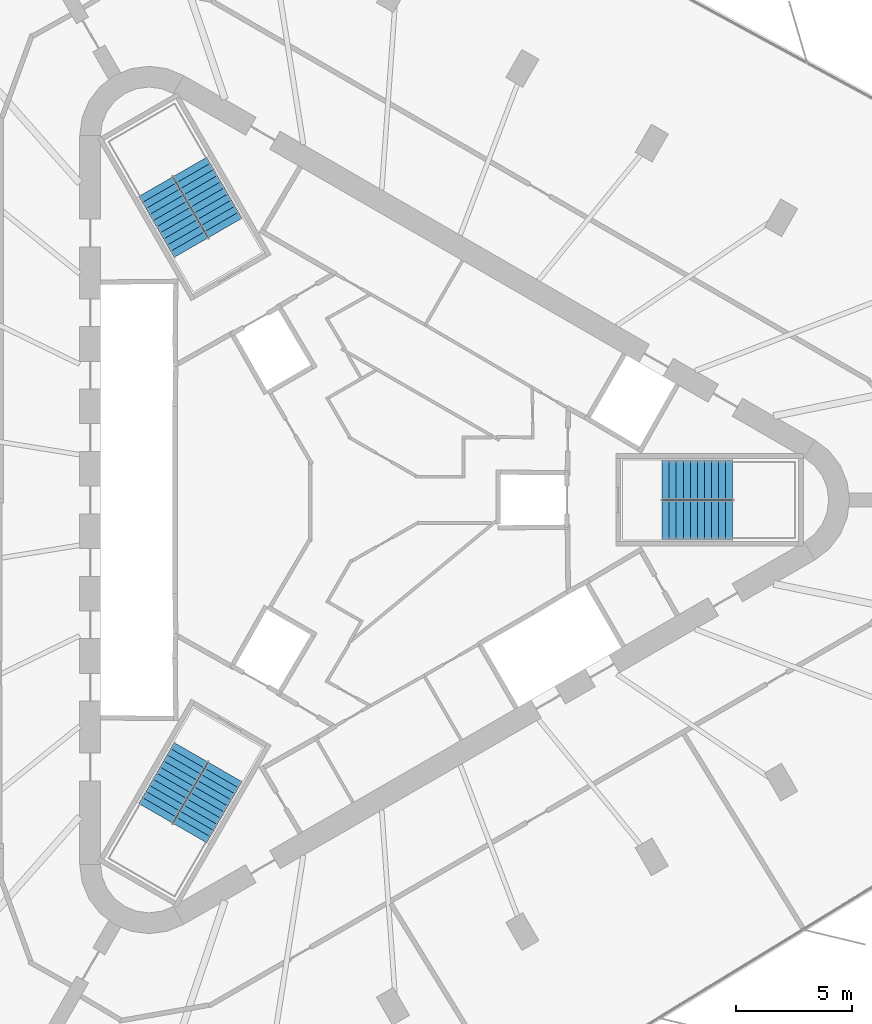
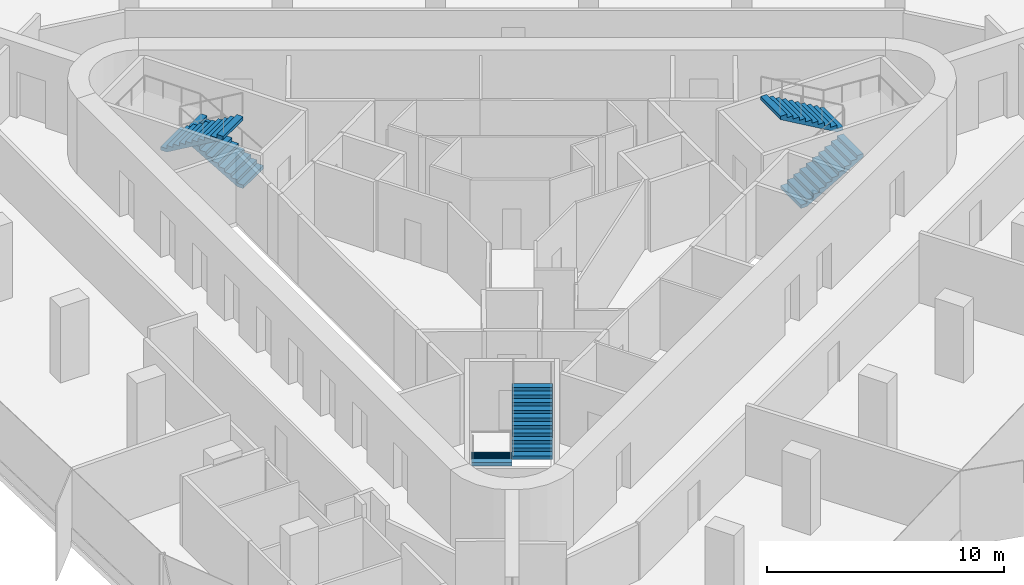
# One storey, part 11 of 12: 6 stair flights, 3 elements without a shape of their own.
"""IFC4 building model written with IfcOpenShell, lengths in metres."""

from ifc_helpers import new_model, si_unit, direction, frame, origin, place, context, subcontext, project, spatial, polyline, outline, extrude, material, type_object, element, aggregate, save


model = new_model("IFC4")

# Units and contexts
model_context = context("Model", 3, precision=1e-05, world=origin(), true_north=direction((0.0, 1.0)))
body_context = subcontext(model_context, "Body", "Model", "MODEL_VIEW")
ifc_project = project(units=[si_unit("LENGTHUNIT", "METRE"), si_unit("AREAUNIT", "SQUARE_METRE"), si_unit("VOLUMEUNIT", "CUBIC_METRE"), si_unit("PLANEANGLEUNIT", "RADIAN"), si_unit("MASSUNIT", "GRAM", prefix="KILO")], contexts=[model_context])

# Site, building, storey
site_placement = place(None, origin())
site = spatial("IfcSite", under=ifc_project, at=site_placement, CompositionType="ELEMENT")
building_placement = place(site_placement, origin())
building = spatial("IfcBuilding", under=site, at=building_placement, Name="Tanit Gate Tower", CompositionType="ELEMENT")
storey_placement = place(building_placement, frame((0.0, 0.0, 345.5)))
storey = spatial("IfcBuildingStorey", under=building, at=storey_placement, Name="L78", CompositionType="ELEMENT", Elevation=345.5)

# Stair, stair flights
ifc_material_1 = material(Name="Concrete C40/50", Category="concrete")
stair_type = type_object("IfcStairType", Name="INT-STAIR-EXIT", PredefinedType="HALF_TURN_STAIR", material=ifc_material_1)
stair_1_placement = place(storey_placement, origin())
stair_1 = element("IfcStair", 1, at=stair_1_placement, inside=storey, type_object=stair_type, Name="L78 STAIR S1", PredefinedType="HALF_TURN_STAIR")
ifc_material_2 = material(Name="Concrete C40/50", Category="concrete")
stair_flight_type = type_object("IfcStairFlightType", Name="INT-STAIR-FLIGHT", PredefinedType="STRAIGHT", material=ifc_material_2)
stair_flight_1_placement = place(storey_placement, frame((13.094970703125, -0.8525390625, 0.0), z_axis=(0.0, 0.0, 1.0), x_axis=(1.0, 0.0, 0.0)))
stair_flight_1 = element("IfcStairFlight", 2, at=stair_flight_1_placement, type_object=stair_flight_type, Name="S1 flight 1", NumberOfRisers=11, NumberOfTreads=10, PredefinedType="STRAIGHT", RiserHeight=0.177272727, TreadLength=0.3051, context=body_context, shape_type="SweptSolid", body=[
    extrude(outline(polyline([(0.0, 0.0), (0.0, 0.17724609375), (0.30517578125, 0.17724609375), (0.30517578125, 0.3544921875), (0.610107421875, 0.3544921875), (0.610107421875, 0.53173828125), (0.915283203125, 0.53173828125), (0.915283203125, 0.708984375), (1.220458984375, 0.708984375), (1.220458984375, 0.886474609375), (1.525390625, 0.886474609375), (1.525390625, 1.063720703125), (1.83056640625, 1.063720703125), (1.83056640625, 1.240966796875), (2.1357421875, 1.240966796875), (2.1357421875, 1.418212890625), (2.44091796875, 1.418212890625), (2.44091796875, 1.595458984375), (2.745849609375, 1.595458984375), (2.745849609375, 1.772705078125), (3.051025390625, 1.772705078125), (3.051025390625, 1.949951171875), (3.051025390625, 1.599365234375), (0.29833984375, 0.0), (0.0, 0.0)])), frame((0.0, 0.84765625, 0.0), z_axis=(0.0, -1.0, 0.0), x_axis=(1.0, 0.0, 0.0)), (0.0, 0.0, 1.0), 1.695068359375),
])
stair_flight_2_placement = place(storey_placement, frame((16.14599609375, 0.8525390625, 1.949951171875), z_axis=(0.0, 0.0, 1.0), x_axis=(-1.0, 0.0, 0.0)))
stair_flight_2 = element("IfcStairFlight", 3, at=stair_flight_2_placement, type_object=stair_flight_type, Name="S1 flight 2", NumberOfRisers=11, NumberOfTreads=10, PredefinedType="STRAIGHT", RiserHeight=0.177272727, TreadLength=0.3051, context=body_context, shape_type="SweptSolid", body=[
    extrude(outline(polyline([(0.0, 0.0), (0.0, 0.17724609375), (0.30517578125, 0.17724609375), (0.30517578125, 0.3544921875), (0.610107421875, 0.3544921875), (0.610107421875, 0.53173828125), (0.915283203125, 0.53173828125), (0.915283203125, 0.708984375), (1.220458984375, 0.708984375), (1.220458984375, 0.886474609375), (1.525390625, 0.886474609375), (1.525390625, 1.063720703125), (1.83056640625, 1.063720703125), (1.83056640625, 1.240966796875), (2.1357421875, 1.240966796875), (2.1357421875, 1.418212890625), (2.44091796875, 1.418212890625), (2.44091796875, 1.595458984375), (2.745849609375, 1.595458984375), (2.745849609375, 1.772705078125), (3.051025390625, 1.772705078125), (3.051025390625, 1.949951171875), (3.051025390625, 1.599365234375), (0.29833984375, 0.0), (0.0, 0.0)])), frame((0.0, 0.84765625, 0.0), z_axis=(0.0, -1.0, 0.0), x_axis=(1.0, 0.0, 0.0)), (0.0, 0.0, 1.0), 1.695068359375),
])
aggregate(stair_1, [stair_flight_1, stair_flight_2])

stair_2_placement = place(storey_placement, origin())
stair_2 = element("IfcStair", 4, at=stair_2_placement, inside=storey, type_object=stair_type, Name="L78 STAIR S2", PredefinedType="HALF_TURN_STAIR")
stair_flight_3_placement = place(storey_placement, frame((-5.808349609375, 11.766357421875, 0.0), z_axis=(0.0, 0.0, 1.0), x_axis=(-0.5, 0.866025403784, 0.0)))
stair_flight_3 = element("IfcStairFlight", 5, at=stair_flight_3_placement, type_object=stair_flight_type, Name="S2 flight 1", NumberOfRisers=11, NumberOfTreads=10, PredefinedType="STRAIGHT", RiserHeight=0.177272727, TreadLength=0.30492, context=body_context, shape_type="SweptSolid", body=[
    extrude(outline(polyline([(0.0, 0.0), (0.0, 0.17724609375), (0.304931640625, 0.17724609375), (0.304931640625, 0.3544921875), (0.60986328125, 0.3544921875), (0.60986328125, 0.53173828125), (0.914794921875, 0.53173828125), (0.914794921875, 0.708984375), (1.2197265625, 0.708984375), (1.2197265625, 0.886474609375), (1.524658203125, 0.886474609375), (1.524658203125, 1.063720703125), (1.82958984375, 1.063720703125), (1.82958984375, 1.240966796875), (2.134521484375, 1.240966796875), (2.134521484375, 1.418212890625), (2.439453125, 1.418212890625), (2.439453125, 1.595458984375), (2.744384765625, 1.595458984375), (2.744384765625, 1.772705078125), (3.04931640625, 1.772705078125), (3.04931640625, 1.949951171875), (3.04931640625, 1.599365234375), (0.29833984375, 0.0), (0.0, 0.0)])), frame((0.0, 0.84716796875, 0.0), z_axis=(0.0, -1.0, 0.0), x_axis=(1.0, 0.0, 0.0)), (0.0, 0.0, 1.0), 1.694091796875),
])
stair_flight_4_placement = place(storey_placement, frame((-8.810302734375, 13.553955078125, 1.949951171875), z_axis=(0.0, 0.0, 1.0), x_axis=(0.5, -0.866025403784, 0.0)))
stair_flight_4 = element("IfcStairFlight", 6, at=stair_flight_4_placement, type_object=stair_flight_type, Name="S2 flight 2", NumberOfRisers=11, NumberOfTreads=10, PredefinedType="STRAIGHT", RiserHeight=0.177272727, TreadLength=0.30492, context=body_context, shape_type="SweptSolid", body=[
    extrude(outline(polyline([(0.0, 0.0), (0.0, 0.17724609375), (0.304931640625, 0.17724609375), (0.304931640625, 0.3544921875), (0.60986328125, 0.3544921875), (0.60986328125, 0.53173828125), (0.914794921875, 0.53173828125), (0.914794921875, 0.708984375), (1.2197265625, 0.708984375), (1.2197265625, 0.886474609375), (1.524658203125, 0.886474609375), (1.524658203125, 1.063720703125), (1.82958984375, 1.063720703125), (1.82958984375, 1.240966796875), (2.134521484375, 1.240966796875), (2.134521484375, 1.418212890625), (2.439453125, 1.418212890625), (2.439453125, 1.595458984375), (2.744384765625, 1.595458984375), (2.744384765625, 1.772705078125), (3.04931640625, 1.772705078125), (3.04931640625, 1.949951171875), (3.04931640625, 1.599365234375), (0.29833984375, 0.0), (0.0, 0.0)])), frame((0.0, 0.84716796875, 0.0), z_axis=(0.0, -1.0, 0.0), x_axis=(1.0, 0.0, 0.0)), (0.0, 0.0, 1.0), 1.694091796875),
])
aggregate(stair_2, [stair_flight_3, stair_flight_4])

stair_3_placement = place(storey_placement, origin())
stair_3 = element("IfcStair", 7, at=stair_3_placement, inside=storey, type_object=stair_type, Name="L78 STAIR S3", PredefinedType="HALF_TURN_STAIR")
stair_flight_5_placement = place(storey_placement, frame((-7.285888671875, -10.914306640625, 0.0), z_axis=(0.0, 0.0, 1.0), x_axis=(-0.5, -0.866025403784, 0.0)))
stair_flight_5 = element("IfcStairFlight", 8, at=stair_flight_5_placement, type_object=stair_flight_type, Name="S3 flight 1", NumberOfRisers=11, NumberOfTreads=10, PredefinedType="STRAIGHT", RiserHeight=0.177272727, TreadLength=0.3051, context=body_context, shape_type="SweptSolid", body=[
    extrude(outline(polyline([(0.0, 0.0), (0.0, 0.17724609375), (0.30517578125, 0.17724609375), (0.30517578125, 0.3544921875), (0.610107421875, 0.3544921875), (0.610107421875, 0.53173828125), (0.915283203125, 0.53173828125), (0.915283203125, 0.708984375), (1.220458984375, 0.708984375), (1.220458984375, 0.886474609375), (1.525390625, 0.886474609375), (1.525390625, 1.063720703125), (1.83056640625, 1.063720703125), (1.83056640625, 1.240966796875), (2.1357421875, 1.240966796875), (2.1357421875, 1.418212890625), (2.44091796875, 1.418212890625), (2.44091796875, 1.595458984375), (2.745849609375, 1.595458984375), (2.745849609375, 1.772705078125), (3.051025390625, 1.772705078125), (3.051025390625, 1.949951171875), (3.051025390625, 1.599365234375), (0.29833984375, 0.0), (0.0, 0.0)])), frame((0.0, 0.84765625, 0.0), z_axis=(0.0, -1.0, 0.0), x_axis=(1.0, 0.0, 0.0)), (0.0, 0.0, 1.0), 1.695068359375),
])
stair_flight_6_placement = place(storey_placement, frame((-7.334716796875, -14.4091796875, 1.949951171875), z_axis=(0.0, 0.0, 1.0), x_axis=(0.5, 0.866025403784, 0.0)))
stair_flight_6 = element("IfcStairFlight", 9, at=stair_flight_6_placement, type_object=stair_flight_type, Name="S3 flight 2", NumberOfRisers=11, NumberOfTreads=10, PredefinedType="STRAIGHT", RiserHeight=0.177272727, TreadLength=0.3051, context=body_context, shape_type="SweptSolid", body=[
    extrude(outline(polyline([(0.0, 0.0), (0.0, 0.17724609375), (0.30517578125, 0.17724609375), (0.30517578125, 0.3544921875), (0.610107421875, 0.3544921875), (0.610107421875, 0.53173828125), (0.915283203125, 0.53173828125), (0.915283203125, 0.708984375), (1.220458984375, 0.708984375), (1.220458984375, 0.886474609375), (1.525390625, 0.886474609375), (1.525390625, 1.063720703125), (1.83056640625, 1.063720703125), (1.83056640625, 1.240966796875), (2.1357421875, 1.240966796875), (2.1357421875, 1.418212890625), (2.44091796875, 1.418212890625), (2.44091796875, 1.595458984375), (2.745849609375, 1.595458984375), (2.745849609375, 1.772705078125), (3.051025390625, 1.772705078125), (3.051025390625, 1.949951171875), (3.051025390625, 1.599365234375), (0.29833984375, 0.0), (0.0, 0.0)])), frame((0.0, 0.84765625, 0.0), z_axis=(0.0, -1.0, 0.0), x_axis=(1.0, 0.0, 0.0)), (0.0, 0.0, 1.0), 1.695068359375),
])
aggregate(stair_3, [stair_flight_5, stair_flight_6])

save(model, "model.ifc")
